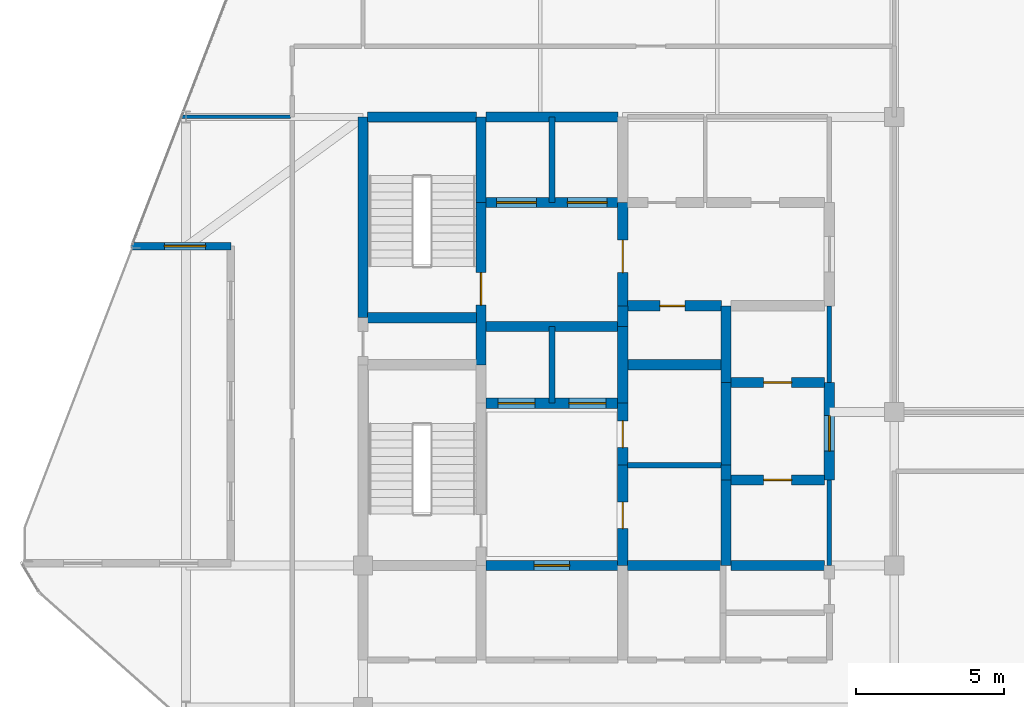
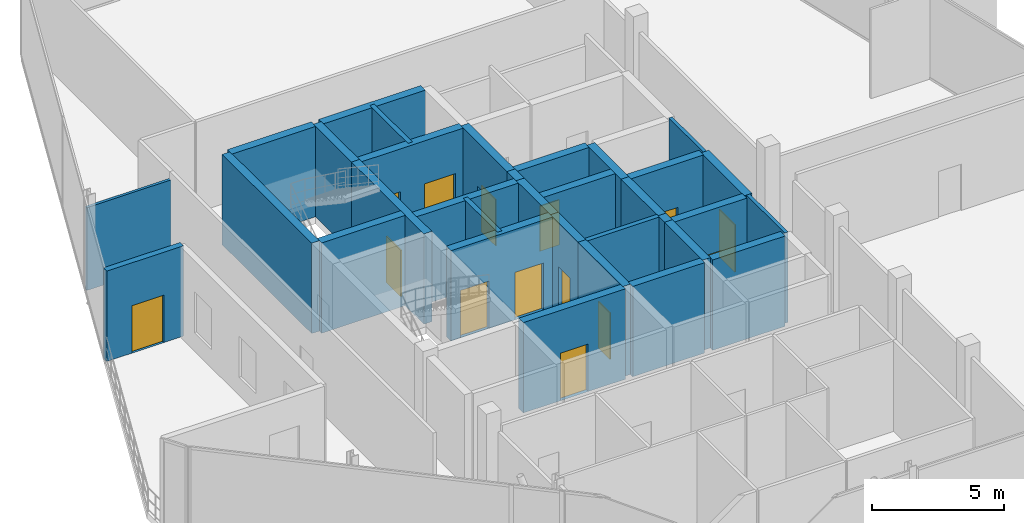
# One storey, part 22 of 24: 33 walls, 14 doors, 14 openings.
"""IFC4 building model written with IfcOpenShell, lengths in metres."""

from ifc_helpers import new_model, si_unit, direction, frame, frame_2d, origin, place, context, subcontext, project, spatial, rectangle, extrude, material, layer, layer_set, type_object, element, fill, save


model = new_model("IFC4")

# Units and contexts
model_context = context("Model", 3, precision=1e-05, world=origin(), true_north=direction((0.0, 1.0)))
body_context = subcontext(model_context, "Body", "Model", "MODEL_VIEW")
ifc_project = project(units=[si_unit("LENGTHUNIT", "METRE"), si_unit("AREAUNIT", "SQUARE_METRE"), si_unit("VOLUMEUNIT", "CUBIC_METRE"), si_unit("PLANEANGLEUNIT", "RADIAN"), si_unit("MASSUNIT", "GRAM", prefix="KILO")], contexts=[model_context])

# Site, building, storey
site_placement = place(None, origin())
site = spatial("IfcSite", under=ifc_project, at=site_placement, CompositionType="ELEMENT")
building_placement = place(site_placement, origin())
building = spatial("IfcBuilding", under=site, at=building_placement, Name="Keshet Zoharim Tower", CompositionType="ELEMENT")
storey_placement = place(building_placement, frame((0.0, 0.0, 299.10009765625)))
storey = spatial("IfcBuildingStorey", under=building, at=storey_placement, Name="L75", CompositionType="ELEMENT", Elevation=299.10009765625)

# Walls
ifc_material_1 = material(Name="Gypsum Plasterboard", Category="gypsum")
ifc_layer_1 = layer(ifc_material_1, 0.14990234375)
ifc_layer_set_1 = layer_set([ifc_layer_1], Name="Gypsum Plasterboard")
wall_type_1 = type_object("IfcWallType", Name="WL-CLIN-150", PredefinedType="STANDARD", material=ifc_layer_set_1)
wall_1_placement = place(storey_placement, frame((30.800048828125, 22.699951171875, 0.0), z_axis=(0.0, 0.0, 1.0), x_axis=(0.0, 1.0, 0.0)))
element("IfcWall", 1, at=wall_1_placement, inside=storey, type_object=wall_type_1, Name="L75 Interior Wall 041", PredefinedType="STANDARD", context=body_context, shape_type="SweptSolid", body=[
    extrude(rectangle(XDim=2.900146484375, YDim=0.14990234375, at=frame_2d((1.4501953125, 0.0))), origin(), (0.0, 0.0, 1.0), 4.18994140625),
])
wall_2_placement = place(storey_placement, frame((30.800048828125, 28.89990234375, 0.0), z_axis=(0.0, 0.0, 1.0), x_axis=(0.0, 1.0, 0.0)))
element("IfcWall", 2, at=wall_2_placement, inside=storey, type_object=wall_type_1, Name="L75 Interior Wall 043", PredefinedType="STANDARD", context=body_context, shape_type="SweptSolid", body=[
    extrude(rectangle(XDim=2.60009765625, YDim=0.14990234375, at=frame_2d((1.300048828125, 0.0))), origin(), (0.0, 0.0, 1.0), 4.18994140625),
])
ifc_material_2 = material(Name="Concrete C60/75", Category="concrete")
ifc_layer_2 = layer(ifc_material_2, 0.35009765625)
ifc_layer_set_2 = layer_set([ifc_layer_2], Name="Concrete C60/75")
wall_type_2 = type_object("IfcWallType", Name="WL-CORE-350", PredefinedType="SHEAR", material=ifc_layer_set_2)
wall_3_placement = place(storey_placement, frame((15.0, 31.10009765625, 0.0), z_axis=(0.0, 0.0, 1.0), x_axis=(0.0, 1.0, 0.0)))
element("IfcWall", 3, at=wall_3_placement, inside=storey, type_object=wall_type_2, Name="L75 Core Shear Wall 008", PredefinedType="SHEAR", context=body_context, shape_type="SweptSolid", body=[
    extrude(rectangle(XDim=6.7998046875, YDim=0.35009765625, at=frame_2d((3.39990234375, 0.0))), origin(), (0.0, 0.0, 1.0), 4.18994140625),
])

# Wall, opening, door
wall_4_placement = place(storey_placement, frame((19.0, 29.5, 0.0), z_axis=(0.0, 0.0, 1.0), x_axis=(0.0, 1.0, 0.0)))
wall_4 = element("IfcWall", 4, at=wall_4_placement, inside=storey, type_object=wall_type_2, Name="L75 Core Shear Wall 013", PredefinedType="SHEAR", context=body_context, shape_type="SweptSolid", body=[
    extrude(rectangle(XDim=5.5, YDim=0.35009765625, at=frame_2d((2.75, 0.0))), origin(), (0.0, 0.0, 1.0), 4.18994140625),
])
opening_1_placement = place(wall_4_placement, frame((2.02490234375, 0.0, 0.0)))
opening_1 = element("IfcOpeningElement", 5, at=opening_1_placement, cuts=wall_4, Name="Opening D-F611", PredefinedType="OPENING", context=body_context, shape_type="SweptSolid", body=[
    extrude(rectangle(XDim=1.10009765625, YDim=2.14990234375, at=frame_2d((0.550048828125, 1.074951171875))), frame((0.0, 0.18505859375, 0.0), z_axis=(0.0, -1.0, 0.0), x_axis=(1.0, 0.0, 0.0)), (0.0, 0.0, 1.0), 0.3701171875),
])
ifc_material_3 = material(Name="Hardwood Timber", Category="wood")
door_type_1 = type_object("IfcDoorType", Name="DR-FD60-110", OperationType="NOTDEFINED", PredefinedType="DOOR", material=ifc_material_3)
door_1_placement = place(opening_1_placement, origin())
door_1 = element("IfcDoor", 6, at=door_1_placement, inside=storey, type_object=door_type_1, Name="L75 Exit Stair ST-02 Fire Door", OperationType="SINGLE_SWING_RIGHT", OverallHeight=2.14990234375, OverallWidth=1.10009765625, PredefinedType="DOOR", context=body_context, shape_type="SweptSolid", body=[
    extrude(rectangle(XDim=1.10009765625, YDim=2.14990234375, at=frame_2d((0.550048828125, 1.074951171875))), frame((0.0, 0.02490234375, 0.0), z_axis=(0.0, -1.0, 0.0), x_axis=(1.0, 0.0, 0.0)), (0.0, 0.0, 1.0), 0.050048828125),
])
fill(opening_1, door_1)

# Wall
wall_5_placement = place(storey_placement, frame((19.0, 35.0, 0.0), z_axis=(0.0, 0.0, 1.0), x_axis=(0.0, 1.0, 0.0)))
element("IfcWall", 7, at=wall_5_placement, inside=storey, type_object=wall_type_2, Name="L75 Core Shear Wall 014", PredefinedType="SHEAR", context=body_context, shape_type="SweptSolid", body=[
    extrude(rectangle(XDim=2.89990234375, YDim=0.35009765625, at=frame_2d((1.449951171875, 0.0))), origin(), (0.0, 0.0, 1.0), 4.18994140625),
])

# Wall, opening, door
wall_6_placement = place(storey_placement, frame((23.800048828125, 22.699951171875, 0.0), z_axis=(0.0, 0.0, 1.0), x_axis=(0.0, 1.0, 0.0)))
wall_6 = element("IfcWall", 8, at=wall_6_placement, inside=storey, type_object=wall_type_2, Name="L75 Core Shear Wall 021", PredefinedType="SHEAR", context=body_context, shape_type="SweptSolid", body=[
    extrude(rectangle(XDim=3.400146484375, YDim=0.35009765625, at=frame_2d((1.7001953125, 0.0))), origin(), (0.0, 0.0, 1.0), 4.18994140625),
])
opening_2_placement = place(wall_6_placement, frame((1.25, 0.0, 0.0)))
opening_2 = element("IfcOpeningElement", 9, at=opening_2_placement, cuts=wall_6, Name="Opening D-F690", PredefinedType="OPENING", context=body_context, shape_type="SweptSolid", body=[
    extrude(rectangle(XDim=0.89990234375, YDim=2.14990234375, at=frame_2d((0.449951171875, 1.074951171875))), frame((0.0, 0.18505859375, 0.0), z_axis=(0.0, -1.0, 0.0), x_axis=(1.0, 0.0, 0.0)), (0.0, 0.0, 1.0), 0.3701171875),
])
door_type_2 = type_object("IfcDoorType", Name="DR-FD60-090", OperationType="NOTDEFINED", PredefinedType="DOOR", material=ifc_material_3)
door_2_placement = place(opening_2_placement, origin())
door_2 = element("IfcDoor", 10, at=door_2_placement, inside=storey, type_object=door_type_2, Name="L75 Core Linen Store Door", OperationType="SINGLE_SWING_LEFT", OverallHeight=2.14990234375, OverallWidth=0.89990234375, PredefinedType="DOOR", context=body_context, shape_type="SweptSolid", body=[
    extrude(rectangle(XDim=0.89990234375, YDim=2.14990234375, at=frame_2d((0.449951171875, 1.074951171875))), frame((0.0, 0.02490234375, 0.0), z_axis=(0.0, -1.0, 0.0), x_axis=(1.0, 0.0, 0.0)), (0.0, 0.0, 1.0), 0.050048828125),
])
fill(opening_2, door_2)

wall_7_placement = place(storey_placement, frame((23.800048828125, 26.10009765625, 0.0), z_axis=(0.0, 0.0, 1.0), x_axis=(0.0, 1.0, 0.0)))
wall_7 = element("IfcWall", 11, at=wall_7_placement, inside=storey, type_object=wall_type_2, Name="L75 Core Shear Wall 022", PredefinedType="SHEAR", context=body_context, shape_type="SweptSolid", body=[
    extrude(rectangle(XDim=2.099853515625, YDim=0.35009765625, at=frame_2d((1.0498046875, 0.0))), origin(), (0.0, 0.0, 1.0), 4.18994140625),
])
opening_3_placement = place(wall_7_placement, frame((0.60009765625, 0.0, 0.0)))
opening_3 = element("IfcOpeningElement", 12, at=opening_3_placement, cuts=wall_7, Name="Opening D-F690", PredefinedType="OPENING", context=body_context, shape_type="SweptSolid", body=[
    extrude(rectangle(XDim=0.89990234375, YDim=2.14990234375, at=frame_2d((0.449951171875, 1.074951171875))), frame((0.0, 0.18505859375, 0.0), z_axis=(0.0, -1.0, 0.0), x_axis=(1.0, 0.0, 0.0)), (0.0, 0.0, 1.0), 0.3701171875),
])
door_3_placement = place(opening_3_placement, origin())
door_3 = element("IfcDoor", 13, at=door_3_placement, inside=storey, type_object=door_type_2, Name="L75 Core Electrical Room Door", OperationType="SINGLE_SWING_RIGHT", OverallHeight=2.14990234375, OverallWidth=0.89990234375, PredefinedType="DOOR", context=body_context, shape_type="SweptSolid", body=[
    extrude(rectangle(XDim=0.89990234375, YDim=2.14990234375, at=frame_2d((0.449951171875, 1.074951171875))), frame((0.0, 0.02490234375, 0.0), z_axis=(0.0, -1.0, 0.0), x_axis=(1.0, 0.0, 0.0)), (0.0, 0.0, 1.0), 0.050048828125),
])
fill(opening_3, door_3)

# Walls
wall_8_placement = place(storey_placement, frame((23.800048828125, 28.199951171875, 0.0), z_axis=(0.0, 0.0, 1.0), x_axis=(0.0, 1.0, 0.0)))
element("IfcWall", 14, at=wall_8_placement, inside=storey, type_object=wall_type_2, Name="L75 Core Shear Wall 023", PredefinedType="SHEAR", context=body_context, shape_type="SweptSolid", body=[
    extrude(rectangle(XDim=2.60009765625, YDim=0.35009765625, at=frame_2d((1.300048828125, 0.0))), origin(), (0.0, 0.0, 1.0), 4.18994140625),
])
wall_9_placement = place(storey_placement, frame((23.800048828125, 30.800048828125, 0.0), z_axis=(0.0, 0.0, 1.0), x_axis=(0.0, 1.0, 0.0)))
element("IfcWall", 15, at=wall_9_placement, inside=storey, type_object=wall_type_2, Name="L75 Core Shear Wall 024", PredefinedType="SHEAR", context=body_context, shape_type="SweptSolid", body=[
    extrude(rectangle(XDim=0.699951171875, YDim=0.35009765625, at=frame_2d((0.35009765625, 0.0))), origin(), (0.0, 0.0, 1.0), 4.18994140625),
])

# Wall, opening, door
wall_10_placement = place(storey_placement, frame((23.800048828125, 31.5, 0.0), z_axis=(0.0, 0.0, 1.0), x_axis=(0.0, 1.0, 0.0)))
wall_10 = element("IfcWall", 16, at=wall_10_placement, inside=storey, type_object=wall_type_2, Name="L75 Core Shear Wall 025", PredefinedType="SHEAR", context=body_context, shape_type="SweptSolid", body=[
    extrude(rectangle(XDim=3.5, YDim=0.35009765625, at=frame_2d((1.75, 0.0))), origin(), (0.0, 0.0, 1.0), 4.18994140625),
])
opening_4_placement = place(wall_10_placement, frame((1.126953125, 0.0, 0.0)))
opening_4 = element("IfcOpeningElement", 17, at=opening_4_placement, cuts=wall_10, Name="Opening D-F611", PredefinedType="OPENING", context=body_context, shape_type="SweptSolid", body=[
    extrude(rectangle(XDim=1.10009765625, YDim=2.14990234375, at=frame_2d((0.550048828125, 1.074951171875))), frame((0.0, 0.18505859375, 0.0), z_axis=(0.0, -1.0, 0.0), x_axis=(1.0, 0.0, 0.0)), (0.0, 0.0, 1.0), 0.3701171875),
])
door_4_placement = place(opening_4_placement, origin())
door_4 = element("IfcDoor", 18, at=door_4_placement, inside=storey, type_object=door_type_1, Name="L75 Firefighting Lobby Fire Door", OperationType="SINGLE_SWING_LEFT", OverallHeight=2.14990234375, OverallWidth=1.10009765625, PredefinedType="DOOR", context=body_context, shape_type="SweptSolid", body=[
    extrude(rectangle(XDim=1.10009765625, YDim=2.14990234375, at=frame_2d((0.550048828125, 1.074951171875))), frame((0.0, 0.02490234375, 0.0), z_axis=(0.0, -1.0, 0.0), x_axis=(1.0, 0.0, 0.0)), (0.0, 0.0, 1.0), 0.050048828125),
])
fill(opening_4, door_4)

# Walls
wall_11_placement = place(storey_placement, frame((27.300048828125, 22.699951171875, 0.0), z_axis=(0.0, 0.0, 1.0), x_axis=(0.0, 1.0, 0.0)))
element("IfcWall", 19, at=wall_11_placement, inside=storey, type_object=wall_type_2, Name="L75 Core Shear Wall 033", PredefinedType="SHEAR", context=body_context, shape_type="SweptSolid", body=[
    extrude(rectangle(XDim=2.900146484375, YDim=0.35009765625, at=frame_2d((1.4501953125, 0.0))), origin(), (0.0, 0.0, 1.0), 4.18994140625),
])
wall_12_placement = place(storey_placement, frame((27.300048828125, 25.60009765625, 0.0), z_axis=(0.0, 0.0, 1.0), x_axis=(0.0, 1.0, 0.0)))
element("IfcWall", 20, at=wall_12_placement, inside=storey, type_object=wall_type_2, Name="L75 Core Shear Wall 034", PredefinedType="SHEAR", context=body_context, shape_type="SweptSolid", body=[
    extrude(rectangle(XDim=0.5, YDim=0.35009765625, at=frame_2d((0.25, 0.0))), origin(), (0.0, 0.0, 1.0), 4.18994140625),
])
wall_13_placement = place(storey_placement, frame((27.300048828125, 26.10009765625, 0.0), z_axis=(0.0, 0.0, 1.0), x_axis=(0.0, 1.0, 0.0)))
element("IfcWall", 21, at=wall_13_placement, inside=storey, type_object=wall_type_2, Name="L75 Core Shear Wall 035", PredefinedType="SHEAR", context=body_context, shape_type="SweptSolid", body=[
    extrude(rectangle(XDim=2.7998046875, YDim=0.35009765625, at=frame_2d((1.39990234375, 0.0))), origin(), (0.0, 0.0, 1.0), 4.18994140625),
])
wall_14_placement = place(storey_placement, frame((27.300048828125, 28.89990234375, 0.0), z_axis=(0.0, 0.0, 1.0), x_axis=(0.0, 1.0, 0.0)))
element("IfcWall", 22, at=wall_14_placement, inside=storey, type_object=wall_type_2, Name="L75 Core Shear Wall 036", PredefinedType="SHEAR", context=body_context, shape_type="SweptSolid", body=[
    extrude(rectangle(XDim=2.60009765625, YDim=0.35009765625, at=frame_2d((1.300048828125, 0.0))), origin(), (0.0, 0.0, 1.0), 4.18994140625),
])

# Wall, opening, door
wall_15_placement = place(storey_placement, frame((30.800048828125, 25.60009765625, 0.0), z_axis=(0.0, 0.0, 1.0), x_axis=(0.0, 1.0, 0.0)))
wall_15 = element("IfcWall", 23, at=wall_15_placement, inside=storey, type_object=wall_type_2, Name="L75 Core Shear Wall 042", PredefinedType="SHEAR", context=body_context, shape_type="SweptSolid", body=[
    extrude(rectangle(XDim=3.2998046875, YDim=0.35009765625, at=frame_2d((1.64990234375, 0.0))), origin(), (0.0, 0.0, 1.0), 4.18994140625),
])
opening_5_placement = place(wall_15_placement, frame((0.97802734375, 0.0, 0.0)))
opening_5 = element("IfcOpeningElement", 24, at=opening_5_placement, cuts=wall_15, Name="Opening D-F612", PredefinedType="OPENING", context=body_context, shape_type="SweptSolid", body=[
    extrude(rectangle(XDim=1.199951171875, YDim=2.199951171875, at=frame_2d((0.60009765625, 1.10009765625))), frame((0.0, 0.18505859375, 0.0), z_axis=(0.0, -1.0, 0.0), x_axis=(1.0, 0.0, 0.0)), (0.0, 0.0, 1.0), 0.3701171875),
])
door_type_3 = type_object("IfcDoorType", Name="DR-FD60-120", OperationType="NOTDEFINED", PredefinedType="DOOR", material=ifc_material_3)
door_5_placement = place(opening_5_placement, origin())
door_5 = element("IfcDoor", 25, at=door_5_placement, inside=storey, type_object=door_type_3, Name="L75 East Lift Lobby Fire Door", OperationType="SINGLE_SWING_LEFT", OverallHeight=2.199951171875, OverallWidth=1.199951171875, PredefinedType="DOOR", context=body_context, shape_type="SweptSolid", body=[
    extrude(rectangle(XDim=1.199951171875, YDim=2.199951171875, at=frame_2d((0.60009765625, 1.10009765625))), frame((0.0, 0.02490234375, 0.0), z_axis=(0.0, -1.0, 0.0), x_axis=(1.0, 0.0, 0.0)), (0.0, 0.0, 1.0), 0.050048828125),
])
fill(opening_5, door_5)

wall_16_placement = place(storey_placement, frame((19.159912109375, 22.699951171875, 0.0), z_axis=(0.0, 0.0, 1.0), x_axis=(1.0, 0.0, 0.0)))
wall_16 = element("IfcWall", 26, at=wall_16_placement, inside=storey, type_object=wall_type_2, Name="L75 Core Shear Wall 066", PredefinedType="SHEAR", context=body_context, shape_type="SweptSolid", body=[
    extrude(rectangle(XDim=4.47998046875, YDim=0.35009765625, at=frame_2d((2.239990234375, 0.0))), origin(), (0.0, 0.0, 1.0), 4.18994140625),
])
opening_6_placement = place(wall_16_placement, frame((1.639892578125, 0.0, 0.0)))
opening_6 = element("IfcOpeningElement", 27, at=opening_6_placement, cuts=wall_16, Name="Opening D-F612", PredefinedType="OPENING", context=body_context, shape_type="SweptSolid", body=[
    extrude(rectangle(XDim=1.199951171875, YDim=2.199951171875, at=frame_2d((0.60009765625, 1.10009765625))), frame((0.0, 0.18505859375, 0.0), z_axis=(0.0, -1.0, 0.0), x_axis=(1.0, 0.0, 0.0)), (0.0, 0.0, 1.0), 0.3701171875),
])
door_6_placement = place(opening_6_placement, origin())
door_6 = element("IfcDoor", 28, at=door_6_placement, inside=storey, type_object=door_type_3, Name="L75 South Core Lobby Fire Door", OperationType="SINGLE_SWING_RIGHT", OverallHeight=2.199951171875, OverallWidth=1.199951171875, PredefinedType="DOOR", context=body_context, shape_type="SweptSolid", body=[
    extrude(rectangle(XDim=1.199951171875, YDim=2.199951171875, at=frame_2d((0.60009765625, 1.10009765625))), frame((0.0, 0.02490234375, 0.0), z_axis=(0.0, -1.0, 0.0), x_axis=(1.0, 0.0, 0.0)), (0.0, 0.0, 1.0), 0.050048828125),
])
fill(opening_6, door_6)

# Walls
wall_17_placement = place(storey_placement, frame((23.9599609375, 22.699951171875, 0.0), z_axis=(0.0, 0.0, 1.0), x_axis=(1.0, 0.0, 0.0)))
element("IfcWall", 29, at=wall_17_placement, inside=storey, type_object=wall_type_2, Name="L75 Core Shear Wall 067", PredefinedType="SHEAR", context=body_context, shape_type="SweptSolid", body=[
    extrude(rectangle(XDim=3.155029296875, YDim=0.35009765625, at=frame_2d((1.57763671875, 0.0))), origin(), (0.0, 0.0, 1.0), 4.18994140625),
])
wall_18_placement = place(storey_placement, frame((27.4599609375, 22.699951171875, 0.0), z_axis=(0.0, 0.0, 1.0), x_axis=(1.0, 0.0, 0.0)))
element("IfcWall", 30, at=wall_18_placement, inside=storey, type_object=wall_type_2, Name="L75 Core Shear Wall 068", PredefinedType="SHEAR", context=body_context, shape_type="SweptSolid", body=[
    extrude(rectangle(XDim=3.179931640625, YDim=0.35009765625, at=frame_2d((1.58984375, 0.0))), origin(), (0.0, 0.0, 1.0), 4.18994140625),
])

# Wall, opening, door
wall_19_placement = place(storey_placement, frame((27.4599609375, 25.60009765625, 0.0), z_axis=(0.0, 0.0, 1.0), x_axis=(1.0, 0.0, 0.0)))
wall_19 = element("IfcWall", 31, at=wall_19_placement, inside=storey, type_object=wall_type_2, Name="L75 Core Shear Wall 069", PredefinedType="SHEAR", context=body_context, shape_type="SweptSolid", body=[
    extrude(rectangle(XDim=3.179931640625, YDim=0.35009765625, at=frame_2d((1.58984375, 0.0))), origin(), (0.0, 0.0, 1.0), 4.18994140625),
])
opening_7_placement = place(wall_19_placement, frame((1.114990234375, 0.0, 0.0)))
opening_7 = element("IfcOpeningElement", 32, at=opening_7_placement, cuts=wall_19, Name="Opening D-F695", PredefinedType="OPENING", context=body_context, shape_type="SweptSolid", body=[
    extrude(rectangle(XDim=0.949951171875, YDim=2.14990234375, at=frame_2d((0.47509765625, 1.074951171875))), frame((0.0, 0.18505859375, 0.0), z_axis=(0.0, -1.0, 0.0), x_axis=(1.0, 0.0, 0.0)), (0.0, 0.0, 1.0), 0.3701171875),
])
door_type_4 = type_object("IfcDoorType", Name="DR-FD60-095", OperationType="NOTDEFINED", PredefinedType="DOOR", material=ifc_material_3)
door_7_placement = place(opening_7_placement, origin())
door_7 = element("IfcDoor", 33, at=door_7_placement, inside=storey, type_object=door_type_4, Name="L75 Study Alcove Door", OperationType="SINGLE_SWING_LEFT", OverallHeight=2.14990234375, OverallWidth=0.949951171875, PredefinedType="DOOR", context=body_context, shape_type="SweptSolid", body=[
    extrude(rectangle(XDim=0.949951171875, YDim=2.14990234375, at=frame_2d((0.47509765625, 1.074951171875))), frame((0.0, 0.02490234375, 0.0), z_axis=(0.0, -1.0, 0.0), x_axis=(1.0, 0.0, 0.0)), (0.0, 0.0, 1.0), 0.050048828125),
])
fill(opening_7, door_7)

# Wall, openings, doors
wall_20_placement = place(storey_placement, frame((19.159912109375, 28.199951171875, 0.0), z_axis=(0.0, 0.0, 1.0), x_axis=(1.0, 0.0, 0.0)))
wall_20 = element("IfcWall", 34, at=wall_20_placement, inside=storey, type_object=wall_type_2, Name="L75 Core Shear Wall 073", PredefinedType="SHEAR", context=body_context, shape_type="SweptSolid", body=[
    extrude(rectangle(XDim=4.47998046875, YDim=0.35009765625, at=frame_2d((2.239990234375, 0.0))), origin(), (0.0, 0.0, 1.0), 4.18994140625),
])
opening_8_placement = place(wall_20_placement, frame((0.4150390625, 0.0, 0.0)))
opening_8 = element("IfcOpeningElement", 35, at=opening_8_placement, cuts=wall_20, Name="Opening LD-01", PredefinedType="OPENING", context=body_context, shape_type="SweptSolid", body=[
    extrude(rectangle(XDim=1.25, YDim=2.199951171875, at=frame_2d((0.625, 1.10009765625))), frame((0.0, 0.18505859375, 0.0), z_axis=(0.0, -1.0, 0.0), x_axis=(1.0, 0.0, 0.0)), (0.0, 0.0, 1.0), 0.3701171875),
])
opening_9_placement = place(wall_20_placement, frame((2.81494140625, 0.0, 0.0)))
opening_9 = element("IfcOpeningElement", 36, at=opening_9_placement, cuts=wall_20, Name="Opening LD-01", PredefinedType="OPENING", context=body_context, shape_type="SweptSolid", body=[
    extrude(rectangle(XDim=1.25, YDim=2.199951171875, at=frame_2d((0.625, 1.10009765625))), frame((0.0, 0.18505859375, 0.0), z_axis=(0.0, -1.0, 0.0), x_axis=(1.0, 0.0, 0.0)), (0.0, 0.0, 1.0), 0.3701171875),
])
ifc_material_4 = material(Name="Steel S355", Category="steel")
door_type_5 = type_object("IfcDoorType", Name="DR-LD01-125", OperationType="DOUBLE_DOOR_SLIDING", PredefinedType="DOOR", material=ifc_material_4)
door_8_placement = place(opening_8_placement, origin())
door_8 = element("IfcDoor", 37, at=door_8_placement, inside=storey, type_object=door_type_5, Name="L75 Passenger Lift Landing Door LF-09", OperationType="DOUBLE_DOOR_SLIDING", OverallHeight=2.199951171875, OverallWidth=1.25, PredefinedType="DOOR", context=body_context, shape_type="SweptSolid", body=[
    extrude(rectangle(XDim=1.25, YDim=2.199951171875, at=frame_2d((0.625, 1.10009765625))), frame((0.0, 0.02490234375, 0.0), z_axis=(0.0, -1.0, 0.0), x_axis=(1.0, 0.0, 0.0)), (0.0, 0.0, 1.0), 0.050048828125),
])
fill(opening_8, door_8)
door_9_placement = place(opening_9_placement, origin())
door_9 = element("IfcDoor", 38, at=door_9_placement, inside=storey, type_object=door_type_5, Name="L75 Passenger Lift Landing Door LF-10", OperationType="DOUBLE_DOOR_SLIDING", OverallHeight=2.199951171875, OverallWidth=1.25, PredefinedType="DOOR", context=body_context, shape_type="SweptSolid", body=[
    extrude(rectangle(XDim=1.25, YDim=2.199951171875, at=frame_2d((0.625, 1.10009765625))), frame((0.0, 0.02490234375, 0.0), z_axis=(0.0, -1.0, 0.0), x_axis=(1.0, 0.0, 0.0)), (0.0, 0.0, 1.0), 0.050048828125),
])
fill(opening_9, door_9)

# Wall, opening, door
wall_21_placement = place(storey_placement, frame((27.4599609375, 28.89990234375, 0.0), z_axis=(0.0, 0.0, 1.0), x_axis=(1.0, 0.0, 0.0)))
wall_21 = element("IfcWall", 39, at=wall_21_placement, inside=storey, type_object=wall_type_2, Name="L75 Core Shear Wall 074", PredefinedType="SHEAR", context=body_context, shape_type="SweptSolid", body=[
    extrude(rectangle(XDim=3.179931640625, YDim=0.35009765625, at=frame_2d((1.58984375, 0.0))), origin(), (0.0, 0.0, 1.0), 4.18994140625),
])
opening_10_placement = place(wall_21_placement, frame((1.114990234375, 0.0, 0.0)))
opening_10 = element("IfcOpeningElement", 40, at=opening_10_placement, cuts=wall_21, Name="Opening D-F695", PredefinedType="OPENING", context=body_context, shape_type="SweptSolid", body=[
    extrude(rectangle(XDim=0.949951171875, YDim=2.14990234375, at=frame_2d((0.47509765625, 1.074951171875))), frame((0.0, 0.18505859375, 0.0), z_axis=(0.0, -1.0, 0.0), x_axis=(1.0, 0.0, 0.0)), (0.0, 0.0, 1.0), 0.3701171875),
])
door_10_placement = place(opening_10_placement, frame((0.949951171875, 0.0, 0.0), z_axis=(0.0, 0.0, 1.0), x_axis=(-1.0, 0.0, 0.0)))
door_10 = element("IfcDoor", 41, at=door_10_placement, inside=storey, type_object=door_type_4, Name="L75 Parcel Store Door", OperationType="SINGLE_SWING_RIGHT", OverallHeight=2.14990234375, OverallWidth=0.949951171875, PredefinedType="DOOR", context=body_context, shape_type="SweptSolid", body=[
    extrude(rectangle(XDim=0.949951171875, YDim=2.14990234375, at=frame_2d((0.47509765625, 1.074951171875))), frame((0.0, 0.02490234375, 0.0), z_axis=(0.0, -1.0, 0.0), x_axis=(1.0, 0.0, 0.0)), (0.0, 0.0, 1.0), 0.050048828125),
])
fill(opening_10, door_10)

# Walls
wall_22_placement = place(storey_placement, frame((23.9599609375, 29.5, 0.0), z_axis=(0.0, 0.0, 1.0), x_axis=(1.0, 0.0, 0.0)))
element("IfcWall", 42, at=wall_22_placement, inside=storey, type_object=wall_type_2, Name="L75 Core Shear Wall 076", PredefinedType="SHEAR", context=body_context, shape_type="SweptSolid", body=[
    extrude(rectangle(XDim=3.179931640625, YDim=0.35009765625, at=frame_2d((1.58984375, 0.0))), origin(), (0.0, 0.0, 1.0), 4.18994140625),
])
wall_23_placement = place(storey_placement, frame((19.159912109375, 30.800048828125, 0.0), z_axis=(0.0, 0.0, 1.0), x_axis=(1.0, 0.0, 0.0)))
element("IfcWall", 43, at=wall_23_placement, inside=storey, type_object=wall_type_2, Name="L75 Core Shear Wall 077", PredefinedType="SHEAR", context=body_context, shape_type="SweptSolid", body=[
    extrude(rectangle(XDim=4.47998046875, YDim=0.35009765625, at=frame_2d((2.239990234375, 0.0))), origin(), (0.0, 0.0, 1.0), 4.18994140625),
])
wall_24_placement = place(storey_placement, frame((15.159912109375, 31.10009765625, 0.0), z_axis=(0.0, 0.0, 1.0), x_axis=(1.0, 0.0, 0.0)))
element("IfcWall", 44, at=wall_24_placement, inside=storey, type_object=wall_type_2, Name="L75 Core Shear Wall 078", PredefinedType="SHEAR", context=body_context, shape_type="SweptSolid", body=[
    extrude(rectangle(XDim=3.68017578125, YDim=0.35009765625, at=frame_2d((1.840087890625, 0.0))), origin(), (0.0, 0.0, 1.0), 4.18994140625),
])

# Wall, opening, door
wall_25_placement = place(storey_placement, frame((23.9599609375, 31.5, 0.0), z_axis=(0.0, 0.0, 1.0), x_axis=(1.0, 0.0, 0.0)))
wall_25 = element("IfcWall", 45, at=wall_25_placement, inside=storey, type_object=wall_type_2, Name="L75 Core Shear Wall 079", PredefinedType="SHEAR", context=body_context, shape_type="SweptSolid", body=[
    extrude(rectangle(XDim=3.179931640625, YDim=0.35009765625, at=frame_2d((1.58984375, 0.0))), origin(), (0.0, 0.0, 1.0), 4.18994140625),
])
opening_11_placement = place(wall_25_placement, frame((1.093994140625, 0.0, 0.0)))
opening_11 = element("IfcOpeningElement", 46, at=opening_11_placement, cuts=wall_25, Name="Opening D-RS85", PredefinedType="OPENING", context=body_context, shape_type="SweptSolid", body=[
    extrude(rectangle(XDim=0.85009765625, YDim=2.10009765625, at=frame_2d((0.425048828125, 1.050048828125))), frame((0.0, 0.18505859375, 0.0), z_axis=(0.0, -1.0, 0.0), x_axis=(1.0, 0.0, 0.0)), (0.0, 0.0, 1.0), 0.3701171875),
])
door_type_6 = type_object("IfcDoorType", Name="DR-RIS-085", OperationType="NOTDEFINED", PredefinedType="DOOR", material=ifc_material_3)
door_11_placement = place(opening_11_placement, origin())
door_11 = element("IfcDoor", 47, at=door_11_placement, inside=storey, type_object=door_type_6, Name="L75 Telecom Riser Access Cupboard Door", OperationType="SINGLE_SWING_LEFT", OverallHeight=2.10009765625, OverallWidth=0.85009765625, PredefinedType="DOOR", context=body_context, shape_type="SweptSolid", body=[
    extrude(rectangle(XDim=0.85009765625, YDim=2.10009765625, at=frame_2d((0.425048828125, 1.050048828125))), frame((0.0, 0.02490234375, 0.0), z_axis=(0.0, -1.0, 0.0), x_axis=(1.0, 0.0, 0.0)), (0.0, 0.0, 1.0), 0.050048828125),
])
fill(opening_11, door_11)

# Wall, openings, doors
wall_26_placement = place(storey_placement, frame((19.159912109375, 35.0, 0.0), z_axis=(0.0, 0.0, 1.0), x_axis=(1.0, 0.0, 0.0)))
wall_26 = element("IfcWall", 48, at=wall_26_placement, inside=storey, type_object=wall_type_2, Name="L75 Core Shear Wall 081", PredefinedType="SHEAR", context=body_context, shape_type="SweptSolid", body=[
    extrude(rectangle(XDim=4.47998046875, YDim=0.35009765625, at=frame_2d((2.239990234375, 0.0))), origin(), (0.0, 0.0, 1.0), 4.18994140625),
])
opening_12_placement = place(wall_26_placement, frame((0.364990234375, 0.0, 0.0)))
opening_12 = element("IfcOpeningElement", 49, at=opening_12_placement, cuts=wall_26, Name="Opening LD-02", PredefinedType="OPENING", context=body_context, shape_type="SweptSolid", body=[
    extrude(rectangle(XDim=1.35009765625, YDim=2.199951171875, at=frame_2d((0.675048828125, 1.10009765625))), frame((0.0, 0.18505859375, 0.0), z_axis=(0.0, -1.0, 0.0), x_axis=(1.0, 0.0, 0.0)), (0.0, 0.0, 1.0), 0.3701171875),
])
opening_13_placement = place(wall_26_placement, frame((2.764892578125, 0.0, 0.0)))
opening_13 = element("IfcOpeningElement", 50, at=opening_13_placement, cuts=wall_26, Name="Opening LD-02", PredefinedType="OPENING", context=body_context, shape_type="SweptSolid", body=[
    extrude(rectangle(XDim=1.35009765625, YDim=2.199951171875, at=frame_2d((0.675048828125, 1.10009765625))), frame((0.0, 0.18505859375, 0.0), z_axis=(0.0, -1.0, 0.0), x_axis=(1.0, 0.0, 0.0)), (0.0, 0.0, 1.0), 0.3701171875),
])
door_type_7 = type_object("IfcDoorType", Name="DR-LD02-135", OperationType="DOUBLE_DOOR_SLIDING", PredefinedType="DOOR", material=ifc_material_4)
door_12_placement = place(opening_12_placement, origin())
door_12 = element("IfcDoor", 51, at=door_12_placement, inside=storey, type_object=door_type_7, Name="L75 Firefighting Lift Landing Door FF-01", OperationType="DOUBLE_DOOR_SLIDING", OverallHeight=2.199951171875, OverallWidth=1.35009765625, PredefinedType="DOOR", context=body_context, shape_type="SweptSolid", body=[
    extrude(rectangle(XDim=1.35009765625, YDim=2.199951171875, at=frame_2d((0.675048828125, 1.10009765625))), frame((0.0, 0.02490234375, 0.0), z_axis=(0.0, -1.0, 0.0), x_axis=(1.0, 0.0, 0.0)), (0.0, 0.0, 1.0), 0.050048828125),
])
fill(opening_12, door_12)
door_13_placement = place(opening_13_placement, origin())
door_13 = element("IfcDoor", 52, at=door_13_placement, inside=storey, type_object=door_type_7, Name="L75 Firefighting Lift Landing Door FF-02", OperationType="DOUBLE_DOOR_SLIDING", OverallHeight=2.199951171875, OverallWidth=1.35009765625, PredefinedType="DOOR", context=body_context, shape_type="SweptSolid", body=[
    extrude(rectangle(XDim=1.35009765625, YDim=2.199951171875, at=frame_2d((0.675048828125, 1.10009765625))), frame((0.0, 0.02490234375, 0.0), z_axis=(0.0, -1.0, 0.0), x_axis=(1.0, 0.0, 0.0)), (0.0, 0.0, 1.0), 0.050048828125),
])
fill(opening_13, door_13)

# Walls
wall_27_placement = place(storey_placement, frame((15.159912109375, 37.89990234375, 0.0), z_axis=(0.0, 0.0, 1.0), x_axis=(1.0, 0.0, 0.0)))
element("IfcWall", 53, at=wall_27_placement, inside=storey, type_object=wall_type_2, Name="L75 Core Shear Wall 085", PredefinedType="SHEAR", context=body_context, shape_type="SweptSolid", body=[
    extrude(rectangle(XDim=3.68017578125, YDim=0.35009765625, at=frame_2d((1.840087890625, 0.0))), origin(), (0.0, 0.0, 1.0), 4.18994140625),
])
wall_28_placement = place(storey_placement, frame((19.159912109375, 37.89990234375, 0.0), z_axis=(0.0, 0.0, 1.0), x_axis=(1.0, 0.0, 0.0)))
element("IfcWall", 54, at=wall_28_placement, inside=storey, type_object=wall_type_2, Name="L75 Core Shear Wall 086", PredefinedType="SHEAR", context=body_context, shape_type="SweptSolid", body=[
    extrude(rectangle(XDim=4.47998046875, YDim=0.35009765625, at=frame_2d((2.239990234375, 0.0))), origin(), (0.0, 0.0, 1.0), 4.18994140625),
])

# Wall, opening, door
ifc_material_5 = material(Name="Concrete C50/60 precast", Category="concrete")
ifc_layer_3 = layer(ifc_material_5, 0.260009765625)
ifc_layer_set_3 = layer_set([ifc_layer_3], Name="Concrete C50/60 precast")
wall_type_3 = type_object("IfcWallType", Name="WL-EXT-260", PredefinedType="STANDARD", material=ifc_layer_set_3)
wall_29_placement = place(storey_placement, frame((10.52001953125, 33.52001953125, 0.0), z_axis=(0.0, 0.0, 1.0), x_axis=(-1.0, 0.0, 0.0)))
wall_29 = element("IfcWall", 55, at=wall_29_placement, inside=storey, type_object=wall_type_3, Name="L75 Exterior Facade Wall 01", PredefinedType="STANDARD", context=body_context, shape_type="SweptSolid", body=[
    extrude(rectangle(XDim=3.359130859375, YDim=0.260009765625, at=frame_2d((1.6796875, 0.0))), origin(), (0.0, 0.0, 1.0), 4.18994140625),
])
opening_14_placement = place(wall_29_placement, frame((0.85009765625, 0.0, 0.0)))
opening_14 = element("IfcOpeningElement", 56, at=opening_14_placement, cuts=wall_29, Name="Opening D-TR14", PredefinedType="OPENING", context=body_context, shape_type="SweptSolid", body=[
    extrude(rectangle(XDim=1.39990234375, YDim=2.199951171875, at=frame_2d((0.699951171875, 1.10009765625))), frame((0.0, 0.14013671875, 0.0), z_axis=(0.0, -1.0, 0.0), x_axis=(1.0, 0.0, 0.0)), (0.0, 0.0, 1.0), 0.280029296875),
])
ifc_material_6 = material(Name="Aluminium 6063-T6", Category="aluminium")
door_type_8 = type_object("IfcDoorType", Name="DR-TER-140", OperationType="DOUBLE_DOOR_SINGLE_SWING", PredefinedType="DOOR", material=ifc_material_6)
door_14_placement = place(opening_14_placement, origin())
door_14 = element("IfcDoor", 57, at=door_14_placement, inside=storey, type_object=door_type_8, Name="L75 Sky Terrace Access Door 01", OperationType="DOUBLE_DOOR_SINGLE_SWING", OverallHeight=2.199951171875, OverallWidth=1.39990234375, PredefinedType="DOOR", context=body_context, shape_type="SweptSolid", body=[
    extrude(rectangle(XDim=1.39990234375, YDim=2.199951171875, at=frame_2d((0.699951171875, 1.10009765625))), frame((0.0, 0.02490234375, 0.0), z_axis=(0.0, -1.0, 0.0), x_axis=(1.0, 0.0, 0.0)), (0.0, 0.0, 1.0), 0.050048828125),
])
fill(opening_14, door_14)

# Walls
ifc_material_7 = material(Name="Concrete C50/60", Category="concrete")
ifc_layer_4 = layer(ifc_material_7, 0.199951171875)
ifc_layer_set_4 = layer_set([ifc_layer_4], Name="Concrete C50/60")
wall_type_4 = type_object("IfcWallType", Name="WL-FIRE-200", PredefinedType="STANDARD", material=ifc_layer_set_4)
wall_30_placement = place(storey_placement, frame((21.39990234375, 28.199951171875, 0.0), z_axis=(0.0, 0.0, 1.0), x_axis=(0.0, 1.0, 0.0)))
element("IfcWall", 58, at=wall_30_placement, inside=storey, type_object=wall_type_4, Name="L75 Interior Wall 017", PredefinedType="STANDARD", context=body_context, shape_type="SweptSolid", body=[
    extrude(rectangle(XDim=2.60009765625, YDim=0.199951171875, at=frame_2d((1.300048828125, 0.0))), origin(), (0.0, 0.0, 1.0), 4.18994140625),
])
wall_31_placement = place(storey_placement, frame((21.39990234375, 35.0, 0.0), z_axis=(0.0, 0.0, 1.0), x_axis=(0.0, 1.0, 0.0)))
element("IfcWall", 59, at=wall_31_placement, inside=storey, type_object=wall_type_4, Name="L75 Interior Wall 018", PredefinedType="STANDARD", context=body_context, shape_type="SweptSolid", body=[
    extrude(rectangle(XDim=2.89990234375, YDim=0.199951171875, at=frame_2d((1.449951171875, 0.0))), origin(), (0.0, 0.0, 1.0), 4.18994140625),
])
wall_32_placement = place(storey_placement, frame((23.9599609375, 26.10009765625, 0.0), z_axis=(0.0, 0.0, 1.0), x_axis=(1.0, 0.0, 0.0)))
element("IfcWall", 60, at=wall_32_placement, inside=storey, type_object=wall_type_4, Name="L75 Interior Wall 071", PredefinedType="STANDARD", context=body_context, shape_type="SweptSolid", body=[
    extrude(rectangle(XDim=3.179931640625, YDim=0.199951171875, at=frame_2d((1.58984375, 0.0))), origin(), (0.0, 0.0, 1.0), 4.18994140625),
])
ifc_layer_5 = layer(ifc_material_1, 0.1201171875)
ifc_layer_set_5 = layer_set([ifc_layer_5], Name="Gypsum Plasterboard")
wall_type_5 = type_object("IfcWallType", Name="WL-PART-120", PredefinedType="PARTITIONING", material=ifc_layer_set_5)
wall_33_placement = place(storey_placement, frame((8.85595703125, 37.89990234375, 0.0), z_axis=(0.0, 0.0, 1.0), x_axis=(1.0, 0.0, 0.0)))
element("IfcWall", 61, at=wall_33_placement, inside=storey, type_object=wall_type_5, Name="L75 Interior Wall 084", PredefinedType="PARTITIONING", context=body_context, shape_type="SweptSolid", body=[
    extrude(rectangle(XDim=3.68408203125, YDim=0.1201171875, at=frame_2d((1.842041015625, 0.0))), origin(), (0.0, 0.0, 1.0), 3.83984375),
])

save(model, "model.ifc")
